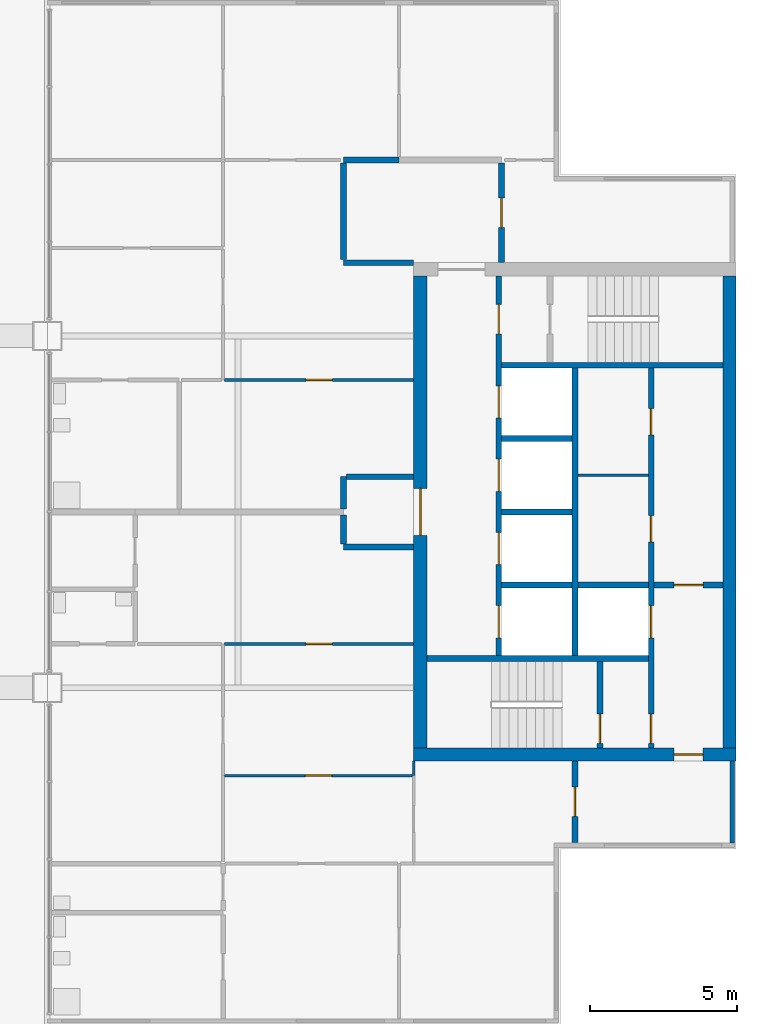
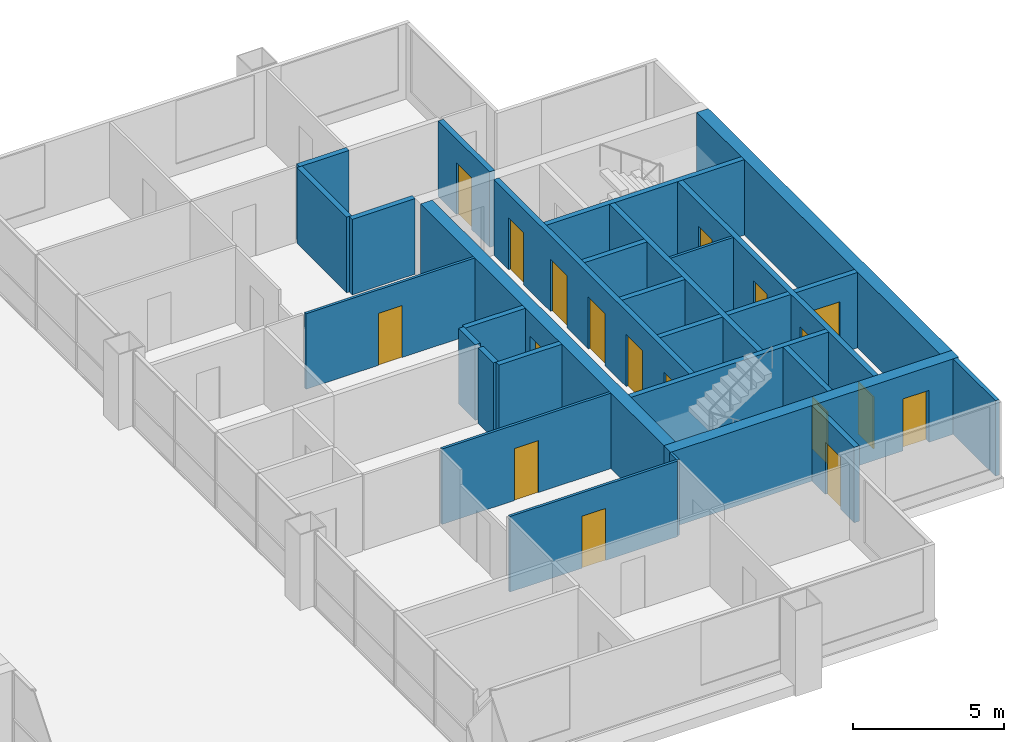
# One storey, part 9 of 12: 29 walls, 18 doors, 18 openings.
"""IFC4 building model written with IfcOpenShell, lengths in metres."""

from ifc_helpers import new_model, si_unit, direction, frame, frame_2d, origin, place, context, subcontext, project, spatial, rectangle, extrude, material, layer, layer_set, type_object, element, fill, save


model = new_model("IFC4")

# Units and contexts
model_context = context("Model", 3, precision=1e-05, world=origin(), true_north=direction((0.0, 1.0)))
body_context = subcontext(model_context, "Body", "Model", "MODEL_VIEW")
ifc_project = project(units=[si_unit("LENGTHUNIT", "METRE"), si_unit("AREAUNIT", "SQUARE_METRE"), si_unit("VOLUMEUNIT", "CUBIC_METRE"), si_unit("PLANEANGLEUNIT", "RADIAN"), si_unit("MASSUNIT", "GRAM", prefix="KILO")], contexts=[model_context])

# Site, building, storey
site_placement = place(None, origin())
site = spatial("IfcSite", under=ifc_project, at=site_placement, CompositionType="ELEMENT")
building_placement = place(site_placement, origin())
building = spatial("IfcBuilding", under=site, at=building_placement, Name="Kitamizu Gate Tower and Museum", CompositionType="ELEMENT")
storey_placement = place(building_placement, frame((0.0, 0.0, 249.0)))
storey = spatial("IfcBuildingStorey", under=building, at=storey_placement, Name="L67", CompositionType="ELEMENT", Elevation=249.0)

# Wall, opening, door
ifc_material_1 = material(Name="Concrete Fc42", Category="concrete")
ifc_layer_1 = layer(ifc_material_1, 0.449951171875)
ifc_layer_set_1 = layer_set([ifc_layer_1], Name="Concrete Fc42")
wall_type_1 = type_object("IfcWallType", Name="Core wall 450", PredefinedType="SHEAR", material=ifc_layer_set_1)
wall_1_placement = place(storey_placement, frame((59.5, 21.72509765625, 0.0), z_axis=(0.0, 0.0, 1.0), x_axis=(-1.0, 0.0, 0.0)))
wall_1 = element("IfcWall", 1, at=wall_1_placement, inside=storey, type_object=wall_type_1, Name="Core wall ES", PredefinedType="SHEAR", context=body_context, shape_type="SweptSolid", body=[
    extrude(rectangle(XDim=11.0, YDim=0.449951171875, at=frame_2d((5.5, 0.0))), origin(), (0.0, 0.0, 1.0), 3.050048828125),
])
opening_1_placement = place(wall_1_placement, frame((1.125, 0.0, 0.0)))
opening_1 = element("IfcOpeningElement", 2, at=opening_1_placement, cuts=wall_1, Name="Opening L67-038", PredefinedType="OPENING", context=body_context, shape_type="SweptSolid", body=[
    extrude(rectangle(XDim=1.0, YDim=2.10009765625, at=frame_2d((0.5, 1.050048828125))), frame((0.0, 0.23486328125, 0.0), z_axis=(0.0, -1.0, 0.0), x_axis=(1.0, 0.0, 0.0)), (0.0, 0.0, 1.0), 0.469970703125),
])
ifc_material_2 = material(Name="Hollow metal door set")
door_type_1 = type_object("IfcDoorType", Name="Fire door 1000", OperationType="NOTDEFINED", PredefinedType="DOOR", material=ifc_material_2)
door_1_placement = place(opening_1_placement, frame((1.0, 0.0, 0.0), x_axis=(-1.0, 0.0, 0.0)))
door_1 = element("IfcDoor", 3, at=door_1_placement, inside=storey, type_object=door_type_1, Name="Fire-fighting lobby door L67-038", OperationType="SINGLE_SWING_LEFT", OverallHeight=2.10009765625, OverallWidth=1.0, PredefinedType="DOOR", context=body_context, shape_type="SweptSolid", body=[
    extrude(rectangle(XDim=1.0, YDim=2.10009765625, at=frame_2d((0.5, 1.050048828125))), frame((0.0, 0.02490234375, 0.0), z_axis=(0.0, -1.0, 0.0), x_axis=(1.0, 0.0, 0.0)), (0.0, 0.0, 1.0), 0.050048828125),
])
fill(opening_1, door_1)

# Wall
wall_2_placement = place(storey_placement, frame((59.27490234375, 21.949951171875, 0.0), z_axis=(0.0, 0.0, 1.0), x_axis=(0.0, 1.0, 0.0)))
element("IfcWall", 4, at=wall_2_placement, inside=storey, type_object=wall_type_1, Name="Core wall EOUT", PredefinedType="SHEAR", context=body_context, shape_type="SweptSolid", body=[
    extrude(rectangle(XDim=16.10009765625, YDim=0.449951171875, at=frame_2d((8.050048828125, 0.0))), origin(), (0.0, 0.0, 1.0), 3.050048828125),
])

# Wall, opening, door
wall_3_placement = place(storey_placement, frame((48.72509765625, 21.949951171875, 0.0), z_axis=(0.0, 0.0, 1.0), x_axis=(0.0, 1.0, 0.0)))
wall_3 = element("IfcWall", 5, at=wall_3_placement, inside=storey, type_object=wall_type_1, Name="Core wall EARC", PredefinedType="SHEAR", context=body_context, shape_type="SweptSolid", body=[
    extrude(rectangle(XDim=16.10009765625, YDim=0.449951171875, at=frame_2d((8.050048828125, 0.0))), origin(), (0.0, 0.0, 1.0), 3.050048828125),
])
opening_2_placement = place(wall_3_placement, frame((7.25, 0.0, 0.0)))
opening_2 = element("IfcOpeningElement", 6, at=opening_2_placement, cuts=wall_3, Name="Opening L67-040", PredefinedType="OPENING", context=body_context, shape_type="SweptSolid", body=[
    extrude(rectangle(XDim=1.60009765625, YDim=2.10009765625, at=frame_2d((0.800048828125, 1.050048828125))), frame((0.0, 0.23486328125, 0.0), z_axis=(0.0, -1.0, 0.0), x_axis=(1.0, 0.0, 0.0)), (0.0, 0.0, 1.0), 0.469970703125),
])
ifc_material_3 = material(Name="Timber door set", Category="wood")
door_type_2 = type_object("IfcDoorType", Name="Entrance door 1600", OperationType="DOUBLE_DOOR_SINGLE_SWING", PredefinedType="DOOR", material=ifc_material_3)
door_2_placement = place(opening_2_placement, origin())
door_2 = element("IfcDoor", 7, at=door_2_placement, inside=storey, type_object=door_type_2, Name="Lobby door L67-040", OperationType="DOUBLE_DOOR_SINGLE_SWING", OverallHeight=2.10009765625, OverallWidth=1.60009765625, PredefinedType="DOOR", context=body_context, shape_type="SweptSolid", body=[
    extrude(rectangle(XDim=1.60009765625, YDim=2.10009765625, at=frame_2d((0.800048828125, 1.050048828125))), frame((0.0, 0.02490234375, 0.0), z_axis=(0.0, -1.0, 0.0), x_axis=(1.0, 0.0, 0.0)), (0.0, 0.0, 1.0), 0.050048828125),
])
fill(opening_2, door_2)

# Walls
ifc_material_4 = material(Name="Gypsum board on galvanised stud")
ifc_layer_2 = layer(ifc_material_4, 0.10009765625)
ifc_layer_set_2 = layer_set([ifc_layer_2], Name="Gypsum board on galvanised stud")
wall_type_2 = type_object("IfcWallType", Name="Partition 100", PredefinedType="PARTITIONING", material=ifc_layer_set_2)
wall_4_placement = place(storey_placement, frame((56.5, 31.25, 0.0), z_axis=(0.0, 0.0, 1.0), x_axis=(-1.0, 0.0, 0.0)))
element("IfcWall", 8, at=wall_4_placement, inside=storey, type_object=wall_type_2, Name="Partition EPF1", PredefinedType="PARTITIONING", context=body_context, shape_type="SweptSolid", body=[
    extrude(rectangle(XDim=2.39990234375, YDim=0.10009765625, at=frame_2d((1.199951171875, 0.0))), origin(), (0.0, 0.0, 1.0), 3.050048828125),
])
ifc_material_5 = material(Name="Gypsum board on galvanised stud")
ifc_layer_3 = layer(ifc_material_5, 0.10009765625)
ifc_layer_set_3 = layer_set([ifc_layer_3], Name="Gypsum board on galvanised stud")
wall_type_3 = type_object("IfcWallType", Name="Partition 100 NOT RATED", PredefinedType="PARTITIONING", material=ifc_layer_set_3)
wall_5_placement = place(storey_placement, frame((48.5, 21.5, 0.0), z_axis=(0.0, 0.0, 1.0), x_axis=(0.0, -1.0, 0.0)))
element("IfcWall", 9, at=wall_5_placement, inside=storey, type_object=wall_type_3, Name="Partition L67-014", PredefinedType="PARTITIONING", context=body_context, shape_type="SweptSolid", body=[
    extrude(rectangle(XDim=0.5, YDim=0.10009765625, at=frame_2d((0.25, 0.0))), origin(), (0.0, 0.0, 1.0), 3.050048828125),
])

# Wall, opening, door
wall_6_placement = place(storey_placement, frame((48.449951171875, 21.0, 0.0), z_axis=(0.0, 0.0, 1.0), x_axis=(-1.0, 0.0, 0.0)))
wall_6 = element("IfcWall", 10, at=wall_6_placement, inside=storey, type_object=wall_type_3, Name="Partition L67-021", PredefinedType="PARTITIONING", context=body_context, shape_type="SweptSolid", body=[
    extrude(rectangle(XDim=6.39990234375, YDim=0.10009765625, at=frame_2d((3.199951171875, 0.0))), origin(), (0.0, 0.0, 1.0), 3.050048828125),
])
opening_3_placement = place(wall_6_placement, frame((2.75, 0.0, 0.0)))
opening_3 = element("IfcOpeningElement", 11, at=opening_3_placement, cuts=wall_6, Name="Opening L67-004", PredefinedType="OPENING", context=body_context, shape_type="SweptSolid", body=[
    extrude(rectangle(XDim=0.89990234375, YDim=2.10009765625, at=frame_2d((0.449951171875, 1.050048828125))), frame((0.0, 0.06005859375, 0.0), z_axis=(0.0, -1.0, 0.0), x_axis=(1.0, 0.0, 0.0)), (0.0, 0.0, 1.0), 0.1201171875),
])
ifc_material_6 = material(Name="Timber door set", Category="wood")
door_type_3 = type_object("IfcDoorType", Name="Room door 900", OperationType="NOTDEFINED", PredefinedType="DOOR", material=ifc_material_6)
door_3_placement = place(opening_3_placement, origin())
door_3 = element("IfcDoor", 12, at=door_3_placement, inside=storey, type_object=door_type_3, Name="Door L67-004", OperationType="SINGLE_SWING_LEFT", OverallHeight=2.10009765625, OverallWidth=0.89990234375, PredefinedType="DOOR", context=body_context, shape_type="SweptSolid", body=[
    extrude(rectangle(XDim=0.89990234375, YDim=2.10009765625, at=frame_2d((0.449951171875, 1.050048828125))), frame((0.0, 0.02490234375, 0.0), z_axis=(0.0, -1.0, 0.0), x_axis=(1.0, 0.0, 0.0)), (0.0, 0.0, 1.0), 0.050048828125),
])
fill(opening_3, door_3)

wall_7_placement = place(storey_placement, frame((48.5, 25.5, 0.0), z_axis=(0.0, 0.0, 1.0), x_axis=(-1.0, 0.0, 0.0)))
wall_7 = element("IfcWall", 13, at=wall_7_placement, inside=storey, type_object=wall_type_3, Name="Partition L67-022", PredefinedType="PARTITIONING", context=body_context, shape_type="SweptSolid", body=[
    extrude(rectangle(XDim=6.449951171875, YDim=0.10009765625, at=frame_2d((3.22509765625, 0.0))), origin(), (0.0, 0.0, 1.0), 3.050048828125),
])
opening_4_placement = place(wall_7_placement, frame((2.77490234375, 0.0, 0.0)))
opening_4 = element("IfcOpeningElement", 14, at=opening_4_placement, cuts=wall_7, Name="Opening L67-009", PredefinedType="OPENING", context=body_context, shape_type="SweptSolid", body=[
    extrude(rectangle(XDim=0.89990234375, YDim=2.10009765625, at=frame_2d((0.449951171875, 1.050048828125))), frame((0.0, 0.06005859375, 0.0), z_axis=(0.0, -1.0, 0.0), x_axis=(1.0, 0.0, 0.0)), (0.0, 0.0, 1.0), 0.1201171875),
])
door_4_placement = place(opening_4_placement, origin())
door_4 = element("IfcDoor", 15, at=door_4_placement, inside=storey, type_object=door_type_3, Name="Door L67-009", OperationType="SINGLE_SWING_LEFT", OverallHeight=2.10009765625, OverallWidth=0.89990234375, PredefinedType="DOOR", context=body_context, shape_type="SweptSolid", body=[
    extrude(rectangle(XDim=0.89990234375, YDim=2.10009765625, at=frame_2d((0.449951171875, 1.050048828125))), frame((0.0, 0.02490234375, 0.0), z_axis=(0.0, -1.0, 0.0), x_axis=(1.0, 0.0, 0.0)), (0.0, 0.0, 1.0), 0.050048828125),
])
fill(opening_4, door_4)

wall_8_placement = place(storey_placement, frame((42.050048828125, 34.5, 0.0), z_axis=(0.0, 0.0, 1.0), x_axis=(1.0, 0.0, 0.0)))
wall_8 = element("IfcWall", 16, at=wall_8_placement, inside=storey, type_object=wall_type_3, Name="Partition L67-045", PredefinedType="PARTITIONING", context=body_context, shape_type="SweptSolid", body=[
    extrude(rectangle(XDim=6.449951171875, YDim=0.10009765625, at=frame_2d((3.22509765625, 0.0))), origin(), (0.0, 0.0, 1.0), 3.050048828125),
])
opening_5_placement = place(wall_8_placement, frame((2.77490234375, 0.0, 0.0)))
opening_5 = element("IfcOpeningElement", 17, at=opening_5_placement, cuts=wall_8, Name="Opening L67-016", PredefinedType="OPENING", context=body_context, shape_type="SweptSolid", body=[
    extrude(rectangle(XDim=0.89990234375, YDim=2.10009765625, at=frame_2d((0.449951171875, 1.050048828125))), frame((0.0, 0.06005859375, 0.0), z_axis=(0.0, -1.0, 0.0), x_axis=(1.0, 0.0, 0.0)), (0.0, 0.0, 1.0), 0.1201171875),
])
door_5_placement = place(opening_5_placement, frame((0.89990234375, 0.0, 0.0), x_axis=(-1.0, 0.0, 0.0)))
door_5 = element("IfcDoor", 18, at=door_5_placement, inside=storey, type_object=door_type_3, Name="Door L67-016", OperationType="SINGLE_SWING_RIGHT", OverallHeight=2.10009765625, OverallWidth=0.89990234375, PredefinedType="DOOR", context=body_context, shape_type="SweptSolid", body=[
    extrude(rectangle(XDim=0.89990234375, YDim=2.10009765625, at=frame_2d((0.449951171875, 1.050048828125))), frame((0.0, 0.02490234375, 0.0), z_axis=(0.0, -1.0, 0.0), x_axis=(1.0, 0.0, 0.0)), (0.0, 0.0, 1.0), 0.050048828125),
])
fill(opening_5, door_5)

ifc_material_7 = material(Name="Gypsum board on galvanised stud")
ifc_layer_4 = layer(ifc_material_7, 0.199951171875)
ifc_layer_set_4 = layer_set([ifc_layer_4], Name="Gypsum board on galvanised stud")
wall_type_4 = type_object("IfcWallType", Name="Partition 200", PredefinedType="PARTITIONING", material=ifc_layer_set_4)
wall_9_placement = place(storey_placement, frame((54.0, 18.719970703125, 0.0), z_axis=(0.0, 0.0, 1.0), x_axis=(0.0, 1.0, 0.0)))
wall_9 = element("IfcWall", 19, at=wall_9_placement, inside=storey, type_object=wall_type_4, Name="Partition L67-015", PredefinedType="PARTITIONING", context=body_context, shape_type="SweptSolid", body=[
    extrude(rectangle(XDim=2.780029296875, YDim=0.199951171875, at=frame_2d((1.39013671875, 0.0))), origin(), (0.0, 0.0, 1.0), 3.050048828125),
])
opening_6_placement = place(wall_9_placement, frame((0.889892578125, 0.0, 0.0)))
opening_6 = element("IfcOpeningElement", 20, at=opening_6_placement, cuts=wall_9, Name="Opening L67-001", PredefinedType="OPENING", context=body_context, shape_type="SweptSolid", body=[
    extrude(rectangle(XDim=1.0, YDim=2.10009765625, at=frame_2d((0.5, 1.050048828125))), frame((0.0, 0.10986328125, 0.0), z_axis=(0.0, -1.0, 0.0), x_axis=(1.0, 0.0, 0.0)), (0.0, 0.0, 1.0), 0.219970703125),
])
ifc_material_8 = material(Name="Timber door set", Category="wood")
door_type_4 = type_object("IfcDoorType", Name="Flat entrance door 1000", OperationType="NOTDEFINED", PredefinedType="DOOR", material=ifc_material_8)
door_6_placement = place(opening_6_placement, frame((1.0, 0.0, 0.0), x_axis=(-1.0, 0.0, 0.0)))
door_6 = element("IfcDoor", 21, at=door_6_placement, inside=storey, type_object=door_type_4, Name="Flat entrance door L67-001", OperationType="SINGLE_SWING_LEFT", OverallHeight=2.10009765625, OverallWidth=1.0, PredefinedType="DOOR", context=body_context, shape_type="SweptSolid", body=[
    extrude(rectangle(XDim=1.0, YDim=2.10009765625, at=frame_2d((0.5, 1.050048828125))), frame((0.0, 0.02490234375, 0.0), z_axis=(0.0, -1.0, 0.0), x_axis=(1.0, 0.0, 0.0)), (0.0, 0.0, 1.0), 0.050048828125),
])
fill(opening_6, door_6)

# Walls
wall_10_placement = place(storey_placement, frame((48.5, 28.800048828125, 0.0), z_axis=(0.0, 0.0, 1.0), x_axis=(-1.0, 0.0, 0.0)))
element("IfcWall", 22, at=wall_10_placement, inside=storey, type_object=wall_type_4, Name="Partition L67-029", PredefinedType="PARTITIONING", context=body_context, shape_type="SweptSolid", body=[
    extrude(rectangle(XDim=2.39990234375, YDim=0.199951171875, at=frame_2d((1.199951171875, 0.0))), origin(), (0.0, 0.0, 1.0), 3.050048828125),
])
wall_11_placement = place(storey_placement, frame((46.10009765625, 28.89990234375, 0.0), z_axis=(0.0, 0.0, 1.0), x_axis=(0.0, 1.0, 0.0)))
element("IfcWall", 23, at=wall_11_placement, inside=storey, type_object=wall_type_4, Name="Partition L67-030", PredefinedType="PARTITIONING", context=body_context, shape_type="SweptSolid", body=[
    extrude(rectangle(XDim=1.0, YDim=0.199951171875, at=frame_2d((0.5, 0.0))), origin(), (0.0, 0.0, 1.0), 3.050048828125),
])
wall_12_placement = place(storey_placement, frame((46.10009765625, 42.0, 0.0), z_axis=(0.0, 0.0, 1.0), x_axis=(1.0, 0.0, 0.0)))
element("IfcWall", 24, at=wall_12_placement, inside=storey, type_object=wall_type_4, Name="Partition L67-035", PredefinedType="PARTITIONING", context=body_context, shape_type="SweptSolid", body=[
    extrude(rectangle(XDim=1.89990234375, YDim=0.199951171875, at=frame_2d((0.949951171875, 0.0))), origin(), (0.0, 0.0, 1.0), 3.050048828125),
])

# Wall, opening, door
wall_13_placement = place(storey_placement, frame((51.5, 41.89990234375, 0.0), z_axis=(0.0, 0.0, 1.0), x_axis=(0.0, -1.0, 0.0)))
wall_13 = element("IfcWall", 25, at=wall_13_placement, inside=storey, type_object=wall_type_4, Name="Partition L67-038", PredefinedType="PARTITIONING", context=body_context, shape_type="SweptSolid", body=[
    extrude(rectangle(XDim=3.39990234375, YDim=0.199951171875, at=frame_2d((1.699951171875, 0.0))), origin(), (0.0, 0.0, 1.0), 3.050048828125),
])
opening_7_placement = place(wall_13_placement, frame((1.199951171875, 0.0, 0.0)))
opening_7 = element("IfcOpeningElement", 26, at=opening_7_placement, cuts=wall_13, Name="Opening L67-012", PredefinedType="OPENING", context=body_context, shape_type="SweptSolid", body=[
    extrude(rectangle(XDim=1.0, YDim=2.10009765625, at=frame_2d((0.5, 1.050048828125))), frame((0.0, 0.10986328125, 0.0), z_axis=(0.0, -1.0, 0.0), x_axis=(1.0, 0.0, 0.0)), (0.0, 0.0, 1.0), 0.219970703125),
])
door_7_placement = place(opening_7_placement, frame((1.0, 0.0, 0.0), x_axis=(-1.0, 0.0, 0.0)))
door_7 = element("IfcDoor", 27, at=door_7_placement, inside=storey, type_object=door_type_4, Name="Flat entrance door L67-012", OperationType="SINGLE_SWING_LEFT", OverallHeight=2.10009765625, OverallWidth=1.0, PredefinedType="DOOR", context=body_context, shape_type="SweptSolid", body=[
    extrude(rectangle(XDim=1.0, YDim=2.10009765625, at=frame_2d((0.5, 1.050048828125))), frame((0.0, 0.02490234375, 0.0), z_axis=(0.0, -1.0, 0.0), x_axis=(1.0, 0.0, 0.0)), (0.0, 0.0, 1.0), 0.050048828125),
])
fill(opening_7, door_7)

# Walls
wall_14_placement = place(storey_placement, frame((48.5, 38.5, 0.0), z_axis=(0.0, 0.0, 1.0), x_axis=(-1.0, 0.0, 0.0)))
element("IfcWall", 28, at=wall_14_placement, inside=storey, type_object=wall_type_4, Name="Partition L67-046", PredefinedType="PARTITIONING", context=body_context, shape_type="SweptSolid", body=[
    extrude(rectangle(XDim=2.39990234375, YDim=0.199951171875, at=frame_2d((1.199951171875, 0.0))), origin(), (0.0, 0.0, 1.0), 3.050048828125),
])
wall_15_placement = place(storey_placement, frame((46.10009765625, 38.60009765625, 0.0), z_axis=(0.0, 0.0, 1.0), x_axis=(0.0, 1.0, 0.0)))
element("IfcWall", 29, at=wall_15_placement, inside=storey, type_object=wall_type_4, Name="Partition L67-047", PredefinedType="PARTITIONING", context=body_context, shape_type="SweptSolid", body=[
    extrude(rectangle(XDim=3.2998046875, YDim=0.199951171875, at=frame_2d((1.64990234375, 0.0))), origin(), (0.0, 0.0, 1.0), 3.050048828125),
])
wall_16_placement = place(storey_placement, frame((46.10009765625, 30.10009765625, 0.0), z_axis=(0.0, 0.0, 1.0), x_axis=(0.0, 1.0, 0.0)))
element("IfcWall", 30, at=wall_16_placement, inside=storey, type_object=wall_type_4, Name="Partition L67-049", PredefinedType="PARTITIONING", context=body_context, shape_type="SweptSolid", body=[
    extrude(rectangle(XDim=1.099853515625, YDim=0.199951171875, at=frame_2d((0.5498046875, 0.0))), origin(), (0.0, 0.0, 1.0), 3.050048828125),
])
wall_17_placement = place(storey_placement, frame((46.199951171875, 31.199951171875, 0.0), z_axis=(0.0, 0.0, 1.0), x_axis=(1.0, 0.0, 0.0)))
element("IfcWall", 31, at=wall_17_placement, inside=storey, type_object=wall_type_4, Name="Partition L67-050", PredefinedType="PARTITIONING", context=body_context, shape_type="SweptSolid", body=[
    extrude(rectangle(XDim=2.300048828125, YDim=0.199951171875, at=frame_2d((1.14990234375, 0.0))), origin(), (0.0, 0.0, 1.0), 3.050048828125),
])

# Wall, openings, doors
ifc_material_9 = material(Name="Concrete Fc42", Category="concrete")
ifc_layer_5 = layer(ifc_material_9, 0.199951171875)
ifc_layer_set_5 = layer_set([ifc_layer_5], Name="Concrete Fc42")
wall_type_5 = type_object("IfcWallType", Name="Shaft wall 200", PredefinedType="SOLIDWALL", material=ifc_layer_set_5)
wall_18_placement = place(storey_placement, frame((56.60009765625, 21.949951171875, 0.0), z_axis=(0.0, 0.0, 1.0), x_axis=(0.0, 1.0, 0.0)))
wall_18 = element("IfcWall", 32, at=wall_18_placement, inside=storey, type_object=wall_type_5, Name="Shaft wall EWEST", PredefinedType="SOLIDWALL", context=body_context, shape_type="SweptSolid", body=[
    extrude(rectangle(XDim=12.949951171875, YDim=0.199951171875, at=frame_2d((6.47509765625, 0.0))), origin(), (0.0, 0.0, 1.0), 3.050048828125),
])
opening_8_placement = place(wall_18_placement, frame((3.75, 0.0, 0.0)))
opening_8 = element("IfcOpeningElement", 33, at=opening_8_placement, cuts=wall_18, Name="Opening LD", PredefinedType="OPENING", context=body_context, shape_type="SweptSolid", body=[
    extrude(rectangle(XDim=1.10009765625, YDim=2.10009765625, at=frame_2d((0.550048828125, 1.050048828125))), frame((0.0, 0.10986328125, 0.0), z_axis=(0.0, -1.0, 0.0), x_axis=(1.0, 0.0, 0.0)), (0.0, 0.0, 1.0), 0.219970703125),
])
opening_9_placement = place(wall_18_placement, frame((0.14990234375, 0.0, 0.0)))
opening_9 = element("IfcOpeningElement", 34, at=opening_9_placement, cuts=wall_18, Name="Opening L67-034", PredefinedType="OPENING", context=body_context, shape_type="SweptSolid", body=[
    extrude(rectangle(XDim=1.0, YDim=2.10009765625, at=frame_2d((0.5, 1.050048828125))), frame((0.0, 0.10986328125, 0.0), z_axis=(0.0, -1.0, 0.0), x_axis=(1.0, 0.0, 0.0)), (0.0, 0.0, 1.0), 0.219970703125),
])
opening_10_placement = place(wall_18_placement, frame((7.02490234375, 0.0, 0.0)))
opening_10 = element("IfcOpeningElement", 35, at=opening_10_placement, cuts=wall_18, Name="Opening L67-041", PredefinedType="OPENING", context=body_context, shape_type="SweptSolid", body=[
    extrude(rectangle(XDim=0.89990234375, YDim=2.10009765625, at=frame_2d((0.449951171875, 1.050048828125))), frame((0.0, 0.10986328125, 0.0), z_axis=(0.0, -1.0, 0.0), x_axis=(1.0, 0.0, 0.0)), (0.0, 0.0, 1.0), 0.219970703125),
])
opening_11_placement = place(wall_18_placement, frame((10.675048828125, 0.0, 0.0)))
opening_11 = element("IfcOpeningElement", 36, at=opening_11_placement, cuts=wall_18, Name="Opening L67-042", PredefinedType="OPENING", context=body_context, shape_type="SweptSolid", body=[
    extrude(rectangle(XDim=0.89990234375, YDim=2.10009765625, at=frame_2d((0.449951171875, 1.050048828125))), frame((0.0, 0.10986328125, 0.0), z_axis=(0.0, -1.0, 0.0), x_axis=(1.0, 0.0, 0.0)), (0.0, 0.0, 1.0), 0.219970703125),
])
door_8_placement = place(opening_9_placement, origin())
door_8 = element("IfcDoor", 37, at=door_8_placement, inside=storey, type_object=door_type_1, Name="Stair lobby door L67-034", OperationType="SINGLE_SWING_RIGHT", OverallHeight=2.10009765625, OverallWidth=1.0, PredefinedType="DOOR", context=body_context, shape_type="SweptSolid", body=[
    extrude(rectangle(XDim=1.0, YDim=2.10009765625, at=frame_2d((0.5, 1.050048828125))), frame((0.0, 0.02490234375, 0.0), z_axis=(0.0, -1.0, 0.0), x_axis=(1.0, 0.0, 0.0)), (0.0, 0.0, 1.0), 0.050048828125),
])
fill(opening_9, door_8)
ifc_material_10 = material(Name="Hollow metal door set")
door_type_5 = type_object("IfcDoorType", Name="Landing door 1100", OperationType="SLIDING_TO_LEFT", PredefinedType="DOOR", material=ifc_material_10)
door_9_placement = place(opening_8_placement, origin())
door_9 = element("IfcDoor", 38, at=door_9_placement, inside=storey, type_object=door_type_5, Name="Landing door EFF1", OperationType="SLIDING_TO_LEFT", OverallHeight=2.10009765625, OverallWidth=1.10009765625, PredefinedType="DOOR", context=body_context, shape_type="SweptSolid", body=[
    extrude(rectangle(XDim=1.10009765625, YDim=2.10009765625, at=frame_2d((0.550048828125, 1.050048828125))), frame((0.0, 0.02490234375, 0.0), z_axis=(0.0, -1.0, 0.0), x_axis=(1.0, 0.0, 0.0)), (0.0, 0.0, 1.0), 0.050048828125),
])
fill(opening_8, door_9)
ifc_material_11 = material(Name="Timber door set", Category="wood")
door_type_6 = type_object("IfcDoorType", Name="Service door 900", OperationType="NOTDEFINED", PredefinedType="DOOR", material=ifc_material_11)
door_10_placement = place(opening_10_placement, origin())
door_10 = element("IfcDoor", 39, at=door_10_placement, inside=storey, type_object=door_type_6, Name="Service door L67-041", OperationType="SINGLE_SWING_LEFT", OverallHeight=2.10009765625, OverallWidth=0.89990234375, PredefinedType="DOOR", context=body_context, shape_type="SweptSolid", body=[
    extrude(rectangle(XDim=0.89990234375, YDim=2.10009765625, at=frame_2d((0.449951171875, 1.050048828125))), frame((0.0, 0.02490234375, 0.0), z_axis=(0.0, -1.0, 0.0), x_axis=(1.0, 0.0, 0.0)), (0.0, 0.0, 1.0), 0.050048828125),
])
fill(opening_10, door_10)
door_11_placement = place(opening_11_placement, origin())
door_11 = element("IfcDoor", 40, at=door_11_placement, inside=storey, type_object=door_type_6, Name="Service door L67-042", OperationType="SINGLE_SWING_RIGHT", OverallHeight=2.10009765625, OverallWidth=0.89990234375, PredefinedType="DOOR", context=body_context, shape_type="SweptSolid", body=[
    extrude(rectangle(XDim=0.89990234375, YDim=2.10009765625, at=frame_2d((0.449951171875, 1.050048828125))), frame((0.0, 0.02490234375, 0.0), z_axis=(0.0, -1.0, 0.0), x_axis=(1.0, 0.0, 0.0)), (0.0, 0.0, 1.0), 0.050048828125),
])
fill(opening_11, door_11)

wall_19_placement = place(storey_placement, frame((51.39990234375, 25.10009765625, 0.0), z_axis=(0.0, 0.0, 1.0), x_axis=(0.0, 1.0, 0.0)))
wall_19 = element("IfcWall", 41, at=wall_19_placement, inside=storey, type_object=wall_type_5, Name="Shaft wall EEAST", PredefinedType="SOLIDWALL", context=body_context, shape_type="SweptSolid", body=[
    extrude(rectangle(XDim=12.949951171875, YDim=0.199951171875, at=frame_2d((6.47509765625, 0.0))), origin(), (0.0, 0.0, 1.0), 3.050048828125),
])
opening_12_placement = place(wall_19_placement, frame((0.60009765625, 0.0, 0.0)))
opening_12 = element("IfcOpeningElement", 42, at=opening_12_placement, cuts=wall_19, Name="Opening LD", PredefinedType="OPENING", context=body_context, shape_type="SweptSolid", body=[
    extrude(rectangle(XDim=1.10009765625, YDim=2.10009765625, at=frame_2d((0.550048828125, 1.050048828125))), frame((0.0, 0.10986328125, 0.0), z_axis=(0.0, -1.0, 0.0), x_axis=(1.0, 0.0, 0.0)), (0.0, 0.0, 1.0), 0.219970703125),
])
opening_13_placement = place(wall_19_placement, frame((3.10009765625, 0.0, 0.0)))
opening_13 = element("IfcOpeningElement", 43, at=opening_13_placement, cuts=wall_19, Name="Opening LD", PredefinedType="OPENING", context=body_context, shape_type="SweptSolid", body=[
    extrude(rectangle(XDim=1.10009765625, YDim=2.10009765625, at=frame_2d((0.550048828125, 1.050048828125))), frame((0.0, 0.10986328125, 0.0), z_axis=(0.0, -1.0, 0.0), x_axis=(1.0, 0.0, 0.0)), (0.0, 0.0, 1.0), 0.219970703125),
])
opening_14_placement = place(wall_19_placement, frame((5.60009765625, 0.0, 0.0)))
opening_14 = element("IfcOpeningElement", 44, at=opening_14_placement, cuts=wall_19, Name="Opening LD", PredefinedType="OPENING", context=body_context, shape_type="SweptSolid", body=[
    extrude(rectangle(XDim=1.10009765625, YDim=2.10009765625, at=frame_2d((0.550048828125, 1.050048828125))), frame((0.0, 0.10986328125, 0.0), z_axis=(0.0, -1.0, 0.0), x_axis=(1.0, 0.0, 0.0)), (0.0, 0.0, 1.0), 0.219970703125),
])
opening_15_placement = place(wall_19_placement, frame((8.10009765625, 0.0, 0.0)))
opening_15 = element("IfcOpeningElement", 45, at=opening_15_placement, cuts=wall_19, Name="Opening LD", PredefinedType="OPENING", context=body_context, shape_type="SweptSolid", body=[
    extrude(rectangle(XDim=1.10009765625, YDim=2.10009765625, at=frame_2d((0.550048828125, 1.050048828125))), frame((0.0, 0.10986328125, 0.0), z_axis=(0.0, -1.0, 0.0), x_axis=(1.0, 0.0, 0.0)), (0.0, 0.0, 1.0), 0.219970703125),
])
opening_16_placement = place(wall_19_placement, frame((10.97509765625, 0.0, 0.0)))
opening_16 = element("IfcOpeningElement", 46, at=opening_16_placement, cuts=wall_19, Name="Opening L67-035", PredefinedType="OPENING", context=body_context, shape_type="SweptSolid", body=[
    extrude(rectangle(XDim=1.0, YDim=2.10009765625, at=frame_2d((0.5, 1.050048828125))), frame((0.0, 0.10986328125, 0.0), z_axis=(0.0, -1.0, 0.0), x_axis=(1.0, 0.0, 0.0)), (0.0, 0.0, 1.0), 0.219970703125),
])
door_12_placement = place(opening_16_placement, frame((1.0, 0.0, 0.0), x_axis=(-1.0, 0.0, 0.0)))
door_12 = element("IfcDoor", 47, at=door_12_placement, inside=storey, type_object=door_type_1, Name="Stair lobby door L67-035", OperationType="SINGLE_SWING_RIGHT", OverallHeight=2.10009765625, OverallWidth=1.0, PredefinedType="DOOR", context=body_context, shape_type="SweptSolid", body=[
    extrude(rectangle(XDim=1.0, YDim=2.10009765625, at=frame_2d((0.5, 1.050048828125))), frame((0.0, 0.02490234375, 0.0), z_axis=(0.0, -1.0, 0.0), x_axis=(1.0, 0.0, 0.0)), (0.0, 0.0, 1.0), 0.050048828125),
])
fill(opening_16, door_12)
door_13_placement = place(opening_12_placement, origin())
door_13 = element("IfcDoor", 48, at=door_13_placement, inside=storey, type_object=door_type_5, Name="Landing door ESV1", OperationType="SLIDING_TO_LEFT", OverallHeight=2.10009765625, OverallWidth=1.10009765625, PredefinedType="DOOR", context=body_context, shape_type="SweptSolid", body=[
    extrude(rectangle(XDim=1.10009765625, YDim=2.10009765625, at=frame_2d((0.550048828125, 1.050048828125))), frame((0.0, 0.02490234375, 0.0), z_axis=(0.0, -1.0, 0.0), x_axis=(1.0, 0.0, 0.0)), (0.0, 0.0, 1.0), 0.050048828125),
])
fill(opening_12, door_13)
door_14_placement = place(opening_13_placement, origin())
door_14 = element("IfcDoor", 49, at=door_14_placement, inside=storey, type_object=door_type_5, Name="Landing door EH1", OperationType="SLIDING_TO_LEFT", OverallHeight=2.10009765625, OverallWidth=1.10009765625, PredefinedType="DOOR", context=body_context, shape_type="SweptSolid", body=[
    extrude(rectangle(XDim=1.10009765625, YDim=2.10009765625, at=frame_2d((0.550048828125, 1.050048828125))), frame((0.0, 0.02490234375, 0.0), z_axis=(0.0, -1.0, 0.0), x_axis=(1.0, 0.0, 0.0)), (0.0, 0.0, 1.0), 0.050048828125),
])
fill(opening_13, door_14)
door_15_placement = place(opening_14_placement, origin())
door_15 = element("IfcDoor", 50, at=door_15_placement, inside=storey, type_object=door_type_5, Name="Landing door EH2", OperationType="SLIDING_TO_LEFT", OverallHeight=2.10009765625, OverallWidth=1.10009765625, PredefinedType="DOOR", context=body_context, shape_type="SweptSolid", body=[
    extrude(rectangle(XDim=1.10009765625, YDim=2.10009765625, at=frame_2d((0.550048828125, 1.050048828125))), frame((0.0, 0.02490234375, 0.0), z_axis=(0.0, -1.0, 0.0), x_axis=(1.0, 0.0, 0.0)), (0.0, 0.0, 1.0), 0.050048828125),
])
fill(opening_14, door_15)
door_16_placement = place(opening_15_placement, origin())
door_16 = element("IfcDoor", 51, at=door_16_placement, inside=storey, type_object=door_type_5, Name="Landing door EH3", OperationType="SLIDING_TO_LEFT", OverallHeight=2.10009765625, OverallWidth=1.10009765625, PredefinedType="DOOR", context=body_context, shape_type="SweptSolid", body=[
    extrude(rectangle(XDim=1.10009765625, YDim=2.10009765625, at=frame_2d((0.550048828125, 1.050048828125))), frame((0.0, 0.02490234375, 0.0), z_axis=(0.0, -1.0, 0.0), x_axis=(1.0, 0.0, 0.0)), (0.0, 0.0, 1.0), 0.050048828125),
])
fill(opening_15, door_16)

# Walls
wall_20_placement = place(storey_placement, frame((54.0, 25.10009765625, 0.0), z_axis=(0.0, 0.0, 1.0), x_axis=(0.0, 1.0, 0.0)))
element("IfcWall", 52, at=wall_20_placement, inside=storey, type_object=wall_type_5, Name="Shaft wall EMID", PredefinedType="SOLIDWALL", context=body_context, shape_type="SweptSolid", body=[
    extrude(rectangle(XDim=9.7998046875, YDim=0.199951171875, at=frame_2d((4.89990234375, 0.0))), origin(), (0.0, 0.0, 1.0), 3.050048828125),
])
for number, where, z_axis, x_axis, name in (
    (53, (56.5, 25.0, 0.0), (0.0, 0.0, 1.0), (-1.0, 0.0, 0.0), "Shaft wall ESB"),
    (54, (59.050048828125, 35.0, 0.0), (0.0, 0.0, 1.0), (-1.0, 0.0, 0.0), "Shaft wall ENB"),
):
    element("IfcWall", number, at=place(storey_placement, frame(where, z_axis=z_axis, x_axis=x_axis)), inside=storey, type_object=wall_type_5, Name=name, PredefinedType="SOLIDWALL", context=body_context, shape_type="SweptSolid", body=[
        extrude(rectangle(XDim=7.550048828125, YDim=0.199951171875, at=frame_2d((3.77490234375, 0.0))), origin(), (0.0, 0.0, 1.0), 3.050048828125),
    ])

# Wall, opening, door
wall_21_placement = place(storey_placement, frame((59.050048828125, 27.5, 0.0), z_axis=(0.0, 0.0, 1.0), x_axis=(-1.0, 0.0, 0.0)))
wall_21 = element("IfcWall", 55, at=wall_21_placement, inside=storey, type_object=wall_type_5, Name="Shaft wall EFFN", PredefinedType="SOLIDWALL", context=body_context, shape_type="SweptSolid", body=[
    extrude(rectangle(XDim=2.35009765625, YDim=0.199951171875, at=frame_2d((1.175048828125, 0.0))), origin(), (0.0, 0.0, 1.0), 3.050048828125),
])
opening_17_placement = place(wall_21_placement, frame((0.675048828125, 0.0, 0.0)))
opening_17 = element("IfcOpeningElement", 56, at=opening_17_placement, cuts=wall_21, Name="Opening L67-037", PredefinedType="OPENING", context=body_context, shape_type="SweptSolid", body=[
    extrude(rectangle(XDim=1.0, YDim=2.10009765625, at=frame_2d((0.5, 1.050048828125))), frame((0.0, 0.10986328125, 0.0), z_axis=(0.0, -1.0, 0.0), x_axis=(1.0, 0.0, 0.0)), (0.0, 0.0, 1.0), 0.219970703125),
])
door_17_placement = place(opening_17_placement, origin())
door_17 = element("IfcDoor", 57, at=door_17_placement, inside=storey, type_object=door_type_1, Name="Fire-fighting lobby door L67-037", OperationType="SINGLE_SWING_LEFT", OverallHeight=2.10009765625, OverallWidth=1.0, PredefinedType="DOOR", context=body_context, shape_type="SweptSolid", body=[
    extrude(rectangle(XDim=1.0, YDim=2.10009765625, at=frame_2d((0.5, 1.050048828125))), frame((0.0, 0.02490234375, 0.0), z_axis=(0.0, -1.0, 0.0), x_axis=(1.0, 0.0, 0.0)), (0.0, 0.0, 1.0), 0.050048828125),
])
fill(opening_17, door_17)

wall_22_placement = place(storey_placement, frame((54.85009765625, 21.949951171875, 0.0), z_axis=(0.0, 0.0, 1.0), x_axis=(0.0, 1.0, 0.0)))
wall_22 = element("IfcWall", 58, at=wall_22_placement, inside=storey, type_object=wall_type_5, Name="Shaft wall ESZ", PredefinedType="SOLIDWALL", context=body_context, shape_type="SweptSolid", body=[
    extrude(rectangle(XDim=2.949951171875, YDim=0.199951171875, at=frame_2d((1.47509765625, 0.0))), origin(), (0.0, 0.0, 1.0), 3.050048828125),
])
opening_18_placement = place(wall_22_placement, frame((0.14990234375, 0.0, 0.0)))
opening_18 = element("IfcOpeningElement", 59, at=opening_18_placement, cuts=wall_22, Name="Opening L67-033", PredefinedType="OPENING", context=body_context, shape_type="SweptSolid", body=[
    extrude(rectangle(XDim=1.0, YDim=2.10009765625, at=frame_2d((0.5, 1.050048828125))), frame((0.0, 0.10986328125, 0.0), z_axis=(0.0, -1.0, 0.0), x_axis=(1.0, 0.0, 0.0)), (0.0, 0.0, 1.0), 0.219970703125),
])
door_18_placement = place(opening_18_placement, origin())
door_18 = element("IfcDoor", 60, at=door_18_placement, inside=storey, type_object=door_type_1, Name="Stair door L67-033", OperationType="SINGLE_SWING_RIGHT", OverallHeight=2.10009765625, OverallWidth=1.0, PredefinedType="DOOR", context=body_context, shape_type="SweptSolid", body=[
    extrude(rectangle(XDim=1.0, YDim=2.10009765625, at=frame_2d((0.5, 1.050048828125))), frame((0.0, 0.02490234375, 0.0), z_axis=(0.0, -1.0, 0.0), x_axis=(1.0, 0.0, 0.0)), (0.0, 0.0, 1.0), 0.050048828125),
])
fill(opening_18, door_18)

# Walls
for number, where, z_axis, x_axis, name in (
    (61, (56.5, 27.5, 0.0), (0.0, 0.0, 1.0), (-1.0, 0.0, 0.0), "Shaft wall EDVW0"),
    (62, (53.89990234375, 27.5, 0.0), (0.0, 0.0, 1.0), (-1.0, 0.0, 0.0), "Shaft wall EDVE0"),
    (63, (53.89990234375, 30.0, 0.0), (0.0, 0.0, 1.0), (-1.0, 0.0, 0.0), "Shaft wall EDVE1"),
    (64, (53.89990234375, 32.5, 0.0), (0.0, 0.0, 1.0), (-1.0, 0.0, 0.0), "Shaft wall EDVE2"),
):
    element("IfcWall", number, at=place(storey_placement, frame(where, z_axis=z_axis, x_axis=x_axis)), inside=storey, type_object=wall_type_5, Name=name, PredefinedType="SOLIDWALL", context=body_context, shape_type="SweptSolid", body=[
        extrude(rectangle(XDim=2.39990234375, YDim=0.199951171875, at=frame_2d((1.199951171875, 0.0))), origin(), (0.0, 0.0, 1.0), 3.050048828125),
    ])
ifc_material_12 = material(Name="Bronze anodised aluminium frame with insulated spandrel and tinted glass", Category="aluminium")
ifc_layer_6 = layer(ifc_material_12, 0.14990234375)
ifc_layer_set_6 = layer_set([ifc_layer_6], Name="Bronze anodised aluminium frame with insulated spandrel and tinted glass")
wall_type_6 = type_object("IfcWallType", Name="WINDOW WALL 150 BRONZE FRAME EI 30", PredefinedType="ELEMENTEDWALL", material=ifc_layer_set_6)
wall_23_placement = place(storey_placement, frame((59.364990234375, 18.7099609375, 0.0), z_axis=(0.0, 0.0, 1.0), x_axis=(0.0, 1.0, 0.0)))
element("IfcWall", 65, at=wall_23_placement, inside=storey, type_object=wall_type_6, Name="Window wall east L67", PredefinedType="ELEMENTEDWALL", context=body_context, shape_type="SweptSolid", body=[
    extrude(rectangle(XDim=2.7900390625, YDim=0.14990234375, at=frame_2d((1.39501953125, 0.0))), origin(), (0.0, 0.0, 1.0), 3.050048828125),
])

save(model, "model.ifc")
